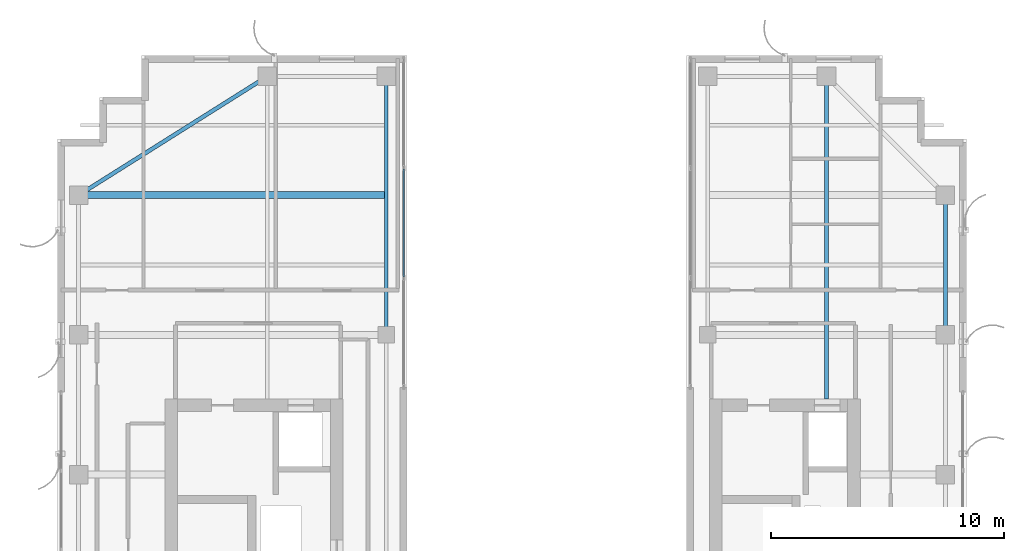
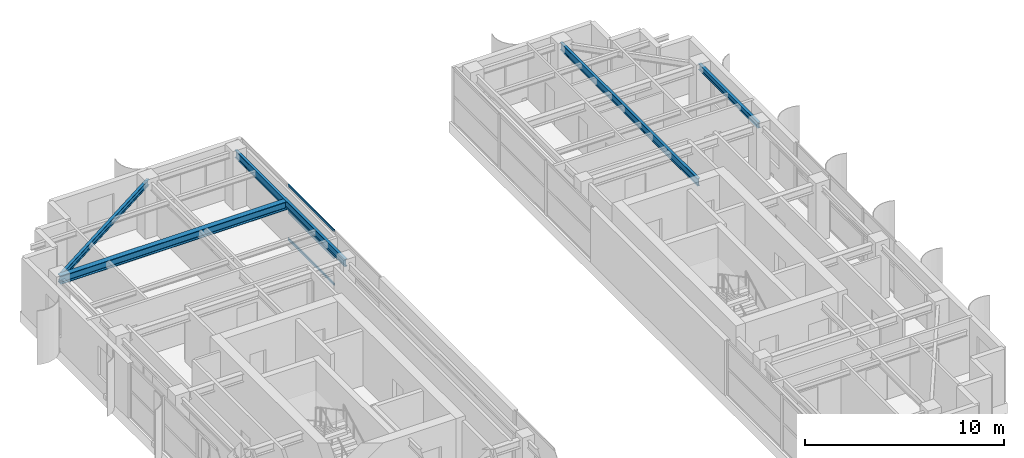
# One storey, part 14 of 24: 5 beams, 3 members, 1 element without a shape of its own.
"""IFC4 building model written with IfcOpenShell, lengths in metres."""

from ifc_helpers import new_model, si_unit, direction, frame, origin, origin_2d, place, context, subcontext, project, spatial, hollow_rectangle, i_section, extrude, source, transform, mapped, material, layer, layer_set, material_profile, profile_set, type_object, element, aggregate, save


model = new_model("IFC4")

# Units and contexts
model_context = context("Model", 3, precision=1e-05, world=origin(), true_north=direction((0.0, 1.0)))
body_context = subcontext(model_context, "Body", "Model", "MODEL_VIEW")
ifc_project = project(units=[si_unit("LENGTHUNIT", "METRE"), si_unit("AREAUNIT", "SQUARE_METRE"), si_unit("VOLUMEUNIT", "CUBIC_METRE"), si_unit("PLANEANGLEUNIT", "RADIAN"), si_unit("MASSUNIT", "GRAM", prefix="KILO")], contexts=[model_context])

# Site, building, storey
site_placement = place(None, origin())
site = spatial("IfcSite", under=ifc_project, at=site_placement, CompositionType="ELEMENT")
building_placement = place(site_placement, origin())
building = spatial("IfcBuilding", under=site, at=building_placement, Name="Khoralis Quay Care Tower", CompositionType="ELEMENT")
storey_placement = place(building_placement, frame((0.0, 0.0, 227.699951171875)))
storey = spatial("IfcBuildingStorey", under=building, at=storey_placement, Name="L59", CompositionType="ELEMENT", Elevation=227.699951171875)

# Beams
ifc_material_1 = material(Name="Steel S355", Category="steel")
ifc_material_profile_1 = material_profile(ifc_material_1, i_section(OverallWidth=0.169921875, OverallDepth=0.360107421875, WebThickness=0.008056640625, FlangeThickness=0.0126953125, FilletRadius=0.01806640625, at=origin_2d()), Name="Steel S355")
ifc_profile_set_1 = profile_set([ifc_material_profile_1], Name="Steel S355")
beam_type_1 = type_object("IfcBeamType", Name="BM-IPE360", PredefinedType="SPANDREL", material=ifc_profile_set_1)
shared_shape_1 = source(origin(), body_context, "Body", "SweptSolid", [
    extrude(i_section(OverallWidth=0.169921875, OverallDepth=0.360107421875, WebThickness=0.008056640625, FlangeThickness=0.0126953125, FilletRadius=0.01806640625, at=origin_2d()), origin(), (0.0, 0.0, 1.0), 6.0),
])
beam_1_placement = place(storey_placement, frame((41.10009765625, 30.0, 3.179931640625), z_axis=(0.0, 1.0, 0.0), x_axis=(-1.0, 0.0, 0.0)))
element("IfcBeam", 1, at=beam_1_placement, inside=storey, type_object=beam_type_1, Name="BM-TSP-L59-12", PredefinedType="SPANDREL", context=body_context, shape_type="MappedRepresentation", body=[
    mapped(shared_shape_1, transform((0.0, 0.0, 0.0), scale=1.0)),
])
shared_shape_2 = source(origin(), body_context, "Body", "SweptSolid", [
    extrude(i_section(OverallWidth=0.169921875, OverallDepth=0.360107421875, WebThickness=0.008056640625, FlangeThickness=0.0126953125, FilletRadius=0.01806640625, at=origin_2d()), origin(), (0.0, 0.0, 1.0), 9.572021484375),
])
beam_2_placement = place(storey_placement, frame((12.0, 41.10009765625, 3.179931640625), z_axis=(-0.846231136359, -0.532815975602, 0.0), x_axis=(0.532815975602, -0.846231136359, 0.0)))
element("IfcBeam", 2, at=beam_2_placement, inside=storey, type_object=beam_type_1, Name="BM-TCR-L59-15", PredefinedType="SPANDREL", context=body_context, shape_type="MappedRepresentation", body=[
    mapped(shared_shape_2, transform((0.0, 0.0, 0.0), scale=1.0)),
])
ifc_material_profile_2 = material_profile(ifc_material_1, i_section(OverallWidth=0.300048828125, OverallDepth=0.5, WebThickness=0.014404296875, FlangeThickness=0.028076171875, FilletRadius=0.027099609375, at=origin_2d()), Name="Steel S355")
ifc_profile_set_2 = profile_set([ifc_material_profile_2], Name="Steel S355")
beam_type_2 = type_object("IfcBeamType", Name="BM-HEB500", PredefinedType="BEAM", material=ifc_profile_set_2)
shared_shape_3 = source(origin(), body_context, "Body", "SweptSolid", [
    extrude(i_section(OverallWidth=0.300048828125, OverallDepth=0.5, WebThickness=0.014404296875, FlangeThickness=0.028076171875, FilletRadius=0.027099609375, at=origin_2d()), origin(), (0.0, 0.0, 1.0), 13.135009765625),
])
beam_3_placement = place(storey_placement, frame((3.89990234375, 36.0, 3.110107421875), z_axis=(1.0, 0.0, 0.0), x_axis=(0.0, 1.0, 0.0)))
element("IfcBeam", 3, at=beam_3_placement, inside=storey, type_object=beam_type_2, Name="BM-TGXW-L59-360", PredefinedType="BEAM", context=body_context, shape_type="MappedRepresentation", body=[
    mapped(shared_shape_3, transform((0.0, 0.0, 0.0), scale=1.0)),
])
ifc_material_profile_3 = material_profile(ifc_material_1, i_section(OverallWidth=0.154052734375, OverallDepth=0.458984375, WebThickness=0.009033203125, FlangeThickness=0.015380859375, FilletRadius=0.014892578125, at=origin_2d()), Name="Steel S355")
ifc_profile_set_3 = profile_set([ifc_material_profile_3], Name="Steel S355")
beam_type_3 = type_object("IfcBeamType", Name="BM-W460X68", PredefinedType="BEAM", material=ifc_profile_set_3)
shared_shape_4 = source(origin(), body_context, "Body", "SweptSolid", [
    extrude(i_section(OverallWidth=0.154052734375, OverallDepth=0.458984375, WebThickness=0.009033203125, FlangeThickness=0.015380859375, FilletRadius=0.014892578125, at=origin_2d()), origin(), (0.0, 0.0, 1.0), 11.10009765625),
])
beam_4_placement = place(storey_placement, frame((17.10009765625, 30.0, 3.130615234375), z_axis=(0.0, 1.0, 0.0), x_axis=(-1.0, 0.0, 0.0)))
element("IfcBeam", 4, at=beam_4_placement, inside=storey, type_object=beam_type_3, Name="BM-TGYN-L59-171", PredefinedType="BEAM", context=body_context, shape_type="MappedRepresentation", body=[
    mapped(shared_shape_4, transform((0.0, 0.0, 0.0), scale=1.0)),
])
shared_shape_5 = source(origin(), body_context, "Body", "SweptSolid", [
    extrude(i_section(OverallWidth=0.154052734375, OverallDepth=0.458984375, WebThickness=0.009033203125, FlangeThickness=0.015380859375, FilletRadius=0.014892578125, at=origin_2d()), origin(), (0.0, 0.0, 1.0), 13.85205078125),
])
beam_5_placement = place(storey_placement, frame((36.0, 27.248046875, 3.130615234375), z_axis=(0.0, 1.0, 0.0), x_axis=(-1.0, 0.0, 0.0)))
element("IfcBeam", 5, at=beam_5_placement, inside=storey, type_object=beam_type_3, Name="BM-TGYN-L59-360", PredefinedType="BEAM", context=body_context, shape_type="MappedRepresentation", body=[
    mapped(shared_shape_5, transform((0.0, 0.0, 0.0), scale=1.0)),
])

# Curtain wall, members
ifc_material_2 = material(Name="Pale anodised aluminium", Category="aluminium")
ifc_layer = layer(ifc_material_2, 0.18994140625)
ifc_layer_set = layer_set([ifc_layer], Name="Pale anodised aluminium")
curtain_wall_type = type_object("IfcCurtainWallType", Name="CW-SYS-PORTAL", PredefinedType="NOTDEFINED", material=ifc_layer_set)
curtain_wall_placement = place(storey_placement, origin())
curtain_wall = element("IfcCurtainWall", 6, at=curtain_wall_placement, inside=storey, type_object=curtain_wall_type, Name="L59 Unitised Curtain Wall CW-VP-L59-P1-N", PredefinedType="NOTDEFINED")
ifc_material_profile_4 = material_profile(ifc_material_2, hollow_rectangle(XDim=0.06005859375, YDim=0.139892578125, WallThickness=0.00390625, at=origin_2d()), Name="Pale anodised aluminium")
ifc_profile_set_4 = profile_set([ifc_material_profile_4], Name="Pale anodised aluminium")
member_type = type_object("IfcMemberType", Name="CW-TRN-140", PredefinedType="USERDEFINED", material=ifc_profile_set_4)
shared_shape_6 = source(origin(), body_context, "Body", "SweptSolid", [
    extrude(hollow_rectangle(XDim=0.06005859375, YDim=0.139892578125, WallThickness=0.00390625, at=origin_2d()), origin(), (0.0, 0.0, 1.0), 4.64013671875),
])
member_1_placement = place(storey_placement, frame((17.85009765625, 32.47998046875, 0.030029296875), z_axis=(0.0, 1.0, 0.0), x_axis=(-1.0, 0.0, 0.0)))
member_1 = element("IfcMember", 7, at=member_1_placement, type_object=member_type, Name="CW4 transom 2.1", ObjectType="TRANSOM", PredefinedType="USERDEFINED", context=body_context, shape_type="MappedRepresentation", body=[
    mapped(shared_shape_6, transform((0.0, 0.0, 0.0), scale=1.0)),
])
member_2_placement = place(storey_placement, frame((17.85009765625, 32.47998046875, 1.679931640625), z_axis=(0.0, 1.0, 0.0), x_axis=(-1.0, 0.0, 0.0)))
member_2 = element("IfcMember", 8, at=member_2_placement, type_object=member_type, Name="CW4 transom 2.2", ObjectType="TRANSOM", PredefinedType="USERDEFINED", context=body_context, shape_type="MappedRepresentation", body=[
    mapped(shared_shape_6, transform((0.0, 0.0, 0.0), scale=1.0)),
])
member_3_placement = place(storey_placement, frame((17.85009765625, 32.47998046875, 3.330078125), z_axis=(0.0, 1.0, 0.0), x_axis=(-1.0, 0.0, 0.0)))
member_3 = element("IfcMember", 9, at=member_3_placement, type_object=member_type, Name="CW4 transom 2.3", ObjectType="TRANSOM", PredefinedType="USERDEFINED", context=body_context, shape_type="MappedRepresentation", body=[
    mapped(shared_shape_6, transform((0.0, 0.0, 0.0), scale=1.0)),
])
aggregate(curtain_wall, [member_1, member_2, member_3])

save(model, "model.ifc")
